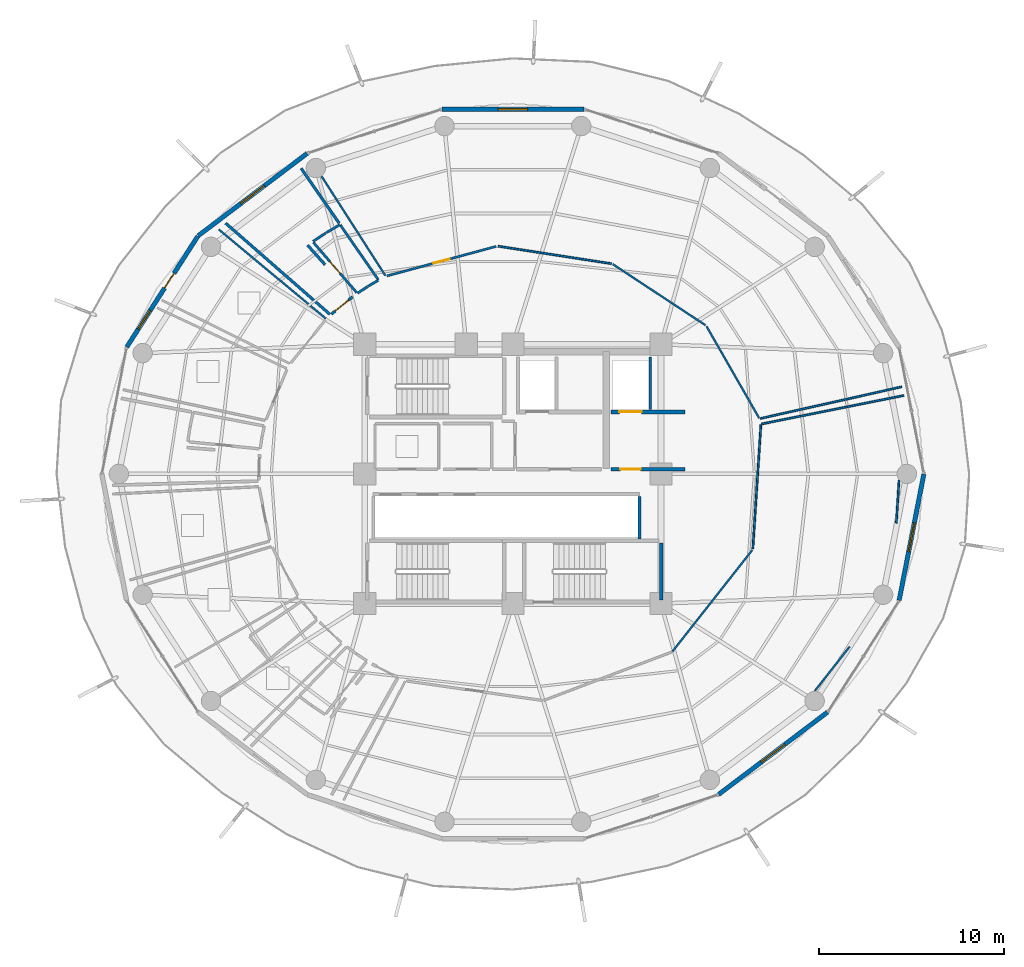
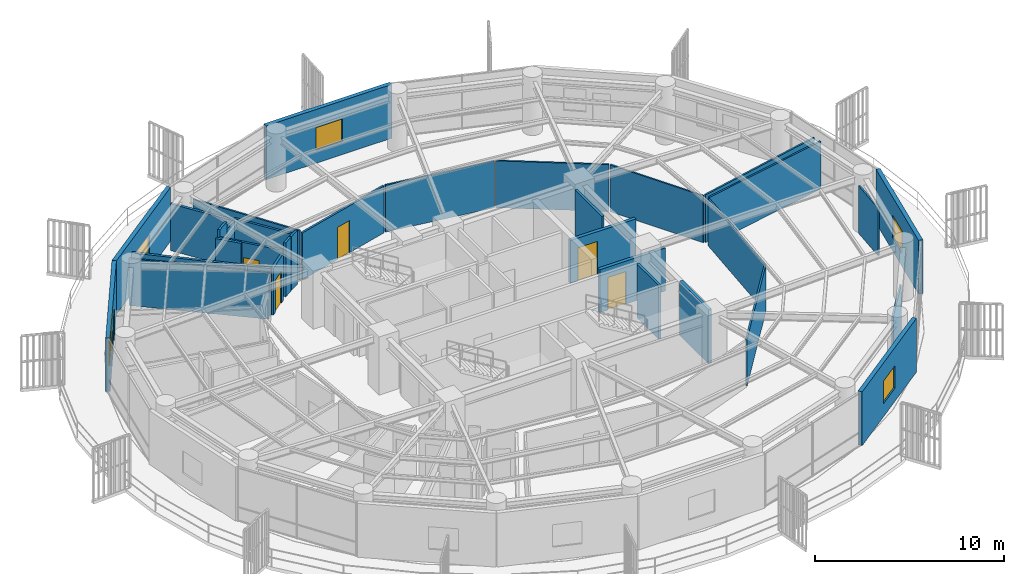
# One storey, part 26 of 31: 32 walls, 6 doors, 5 windows, 11 openings.
"""IFC4 building model written with IfcOpenShell, lengths in metres."""

from ifc_helpers import new_model, si_unit, direction, frame, frame_2d, origin, place, context, subcontext, project, spatial, rectangle, extrude, material, layer, layer_set, type_object, element, fill, save


model = new_model("IFC4")

# Units and contexts
model_context = context("Model", 3, precision=1e-05, world=origin(), true_north=direction((0.0, 1.0)))
body_context = subcontext(model_context, "Body", "Model", "MODEL_VIEW")
ifc_project = project(units=[si_unit("LENGTHUNIT", "METRE"), si_unit("AREAUNIT", "SQUARE_METRE"), si_unit("VOLUMEUNIT", "CUBIC_METRE"), si_unit("PLANEANGLEUNIT", "RADIAN"), si_unit("MASSUNIT", "GRAM", prefix="KILO")], contexts=[model_context])

# Site, building, storey
site_placement = place(None, origin())
site = spatial("IfcSite", under=ifc_project, at=site_placement, CompositionType="ELEMENT")
building_placement = place(site_placement, origin())
building = spatial("IfcBuilding", under=site, at=building_placement, Name="Kelanora Arch Commons", CompositionType="ELEMENT")
storey_placement = place(building_placement, frame((0.0, 0.0, 196.949951171875)))
storey = spatial("IfcBuildingStorey", under=building, at=storey_placement, Name="L50", CompositionType="ELEMENT", Elevation=196.949951171875)

# Walls
ifc_material_1 = material(Name="Autoclaved aerated concrete blockwork with fire plaster", Category="masonry")
ifc_layer_1 = layer(ifc_material_1, 0.14990234375)
ifc_layer_set_1 = layer_set([ifc_layer_1], Name="Autoclaved aerated concrete blockwork with fire plaster")
wall_type_1 = type_object("IfcWallType", Name="W-COMP-150", PredefinedType="PARTITIONING", material=ifc_layer_set_1)
wall_1_placement = place(storey_placement, frame((81.419921875, 61.47998046875, 0.0), z_axis=(0.0, 0.0, 1.0), x_axis=(0.0, 1.0, 0.0)))
element("IfcWall", 1, at=wall_1_placement, inside=storey, type_object=wall_type_1, Name="Firefighting Lift 2 East Shaft Wall L50", PredefinedType="PARTITIONING", context=body_context, shape_type="SweptSolid", body=[
    extrude(rectangle(XDim=2.840087890625, YDim=0.14990234375, at=frame_2d((1.419921875, 0.0))), origin(), (0.0, 0.0, 1.0), 3.47998046875),
])
wall_2_placement = place(storey_placement, frame((80.840087890625, 54.47998046875, 0.0), z_axis=(0.0, 0.0, 1.0), x_axis=(0.0, 1.0, 0.0)))
element("IfcWall", 2, at=wall_2_placement, inside=storey, type_object=wall_type_1, Name="South Lift Bank East Wall L50", PredefinedType="PARTITIONING", context=body_context, shape_type="SweptSolid", body=[
    extrude(rectangle(XDim=2.2900390625, YDim=0.14990234375, at=frame_2d((1.14501953125, 0.0))), origin(), (0.0, 0.0, 1.0), 3.47998046875),
])

# Wall, opening, door
wall_3_placement = place(storey_placement, frame((65.335693359375, 67.56103515625, 0.0), z_axis=(0.0, 0.0, 1.0), x_axis=(-0.773453544763, -0.633852990917, 0.0)))
wall_3 = element("IfcWall", 3, at=wall_3_placement, inside=storey, type_object=wall_type_1, Name="Co-Living Studio L50-01 Entry Partition", PredefinedType="PARTITIONING", context=body_context, shape_type="SweptSolid", body=[
    extrude(rectangle(XDim=1.468994140625, YDim=0.14990234375, at=frame_2d((0.734375, 0.0))), origin(), (0.0, 0.0, 1.0), 3.025146484375),
])
opening_1_placement = place(wall_3_placement, frame((0.259033203125, 0.0, 0.0)))
opening_1 = element("IfcOpeningElement", 4, at=opening_1_placement, cuts=wall_3, Name="Opening D-CLU1", PredefinedType="OPENING", context=body_context, shape_type="SweptSolid", body=[
    extrude(rectangle(XDim=0.949951171875, YDim=2.080078125, at=frame_2d((0.47509765625, 1.0400390625))), frame((0.0, 0.0849609375, 0.0), z_axis=(0.0, -1.0, 0.0), x_axis=(1.0, 0.0, 0.0)), (0.0, 0.0, 1.0), 0.169921875),
])
ifc_material_2 = material(Name="Solid-core acoustic timber cluster entry fire door", Category="wood")
door_type_1 = type_object("IfcDoorType", Name="D-CLU-95", OperationType="NOTDEFINED", PredefinedType="DOOR", material=ifc_material_2)
door_1_placement = place(opening_1_placement, origin())
door_1 = element("IfcDoor", 5, at=door_1_placement, inside=storey, type_object=door_type_1, Name="Co-Living Studio L50-01 Door", OperationType="SINGLE_SWING_RIGHT", OverallHeight=2.080078125, OverallWidth=0.949951171875, PredefinedType="DOOR", context=body_context, shape_type="SweptSolid", body=[
    extrude(rectangle(XDim=0.949951171875, YDim=2.080078125, at=frame_2d((0.47509765625, 1.0400390625))), frame((0.0, 0.02490234375, 0.0), z_axis=(0.0, -1.0, 0.0), x_axis=(1.0, 0.0, 0.0)), (0.0, 0.0, 1.0), 0.050048828125),
])
fill(opening_1, door_1)

# Walls
wall_4_placement = place(storey_placement, frame((64.122802734375, 66.618408203125, 0.0), z_axis=(0.0, 0.0, 1.0), x_axis=(-0.752988337425, 0.658033862124, 0.0)))
element("IfcWall", 6, at=wall_4_placement, inside=storey, type_object=wall_type_1, Name="Co-Living Studio L50-01 Enclosure Partition 2", PredefinedType="PARTITIONING", context=body_context, shape_type="SweptSolid", body=[
    extrude(rectangle(XDim=7.4921875, YDim=0.14990234375, at=frame_2d((3.74609375, 0.0))), origin(), (0.0, 0.0, 1.0), 3.074951171875),
])
wall_5_placement = place(storey_placement, frame((62.56591796875, 74.505126953125, 0.0), z_axis=(0.0, 0.0, 1.0), x_axis=(0.569125600833, -0.822250600776, 0.0)))
element("IfcWall", 7, at=wall_5_placement, inside=storey, type_object=wall_type_1, Name="Co-Living Studio L50-01 Enclosure Partition 5", PredefinedType="PARTITIONING", context=body_context, shape_type="SweptSolid", body=[
    extrude(rectangle(XDim=3.611083984375, YDim=0.14990234375, at=frame_2d((1.8056640625, 0.0))), origin(), (0.0, 0.0, 1.0), 3.025146484375),
])
wall_6_placement = place(storey_placement, frame((62.913818359375, 70.352294921875, 0.0), z_axis=(0.0, 0.0, 1.0), x_axis=(0.667393587085, -0.744705176508, 0.0)))
element("IfcWall", 8, at=wall_6_placement, inside=storey, type_object=wall_type_1, Name="Co-Living Studio L50-01 Enclosure Partition 7", PredefinedType="PARTITIONING", context=body_context, shape_type="SweptSolid", body=[
    extrude(rectangle(XDim=1.41796875, YDim=0.14990234375, at=frame_2d((0.708984375, 0.0))), origin(), (0.0, 0.0, 1.0), 3.175048828125),
])

# Wall, opening, window
ifc_material_3 = material(Name="Precast concrete C40/50 upper-zone terracotta rainscreen", Category="masonry")
ifc_layer_2 = layer(ifc_material_3, 0.239990234375)
ifc_layer_set_2 = layer_set([ifc_layer_2], Name="Precast concrete C40/50 upper-zone terracotta rainscreen")
wall_type_2 = type_object("IfcWallType", Name="W-EXT-TC2", PredefinedType="SOLIDWALL", material=ifc_layer_set_2)
wall_7_placement = place(storey_placement, frame((77.840087890625, 77.6962890625, 0.0), z_axis=(0.0, 0.0, 1.0), x_axis=(-1.0, 0.0, 0.0)))
wall_7 = element("IfcWall", 9, at=wall_7_placement, inside=storey, type_object=wall_type_2, Name="Terracotta Exterior Wall L50-B04", PredefinedType="SOLIDWALL", context=body_context, shape_type="SweptSolid", body=[
    extrude(rectangle(XDim=7.68017578125, YDim=0.239990234375, at=frame_2d((3.840087890625, 0.0))), origin(), (0.0, 0.0, 1.0), 3.47509765625),
])
opening_2_placement = place(wall_7_placement, frame((3.0400390625, 0.0, 0.85009765625)))
opening_2 = element("IfcOpeningElement", 10, at=opening_2_placement, cuts=wall_7, Name="Opening WN-01", PredefinedType="OPENING", context=body_context, shape_type="SweptSolid", body=[
    extrude(rectangle(XDim=1.60009765625, YDim=1.449951171875, at=frame_2d((0.800048828125, 0.72509765625))), frame((0.0, 0.1298828125, 0.0), z_axis=(0.0, -1.0, 0.0), x_axis=(1.0, 0.0, 0.0)), (0.0, 0.0, 1.0), 0.260009765625),
])
ifc_material_4 = material(Name="Terracotta-anodised aluminium frame with operable low-E glazing", Category="masonry")
window_type_1 = type_object("IfcWindowType", Name="WIN-CL-18", PartitioningType="DOUBLE_PANEL_VERTICAL", PredefinedType="WINDOW", material=ifc_material_4)
window_1_placement = place(opening_2_placement, origin())
window_1 = element("IfcWindow", 11, at=window_1_placement, inside=storey, type_object=window_type_1, Name="Co-Living Operable Window L50-B04", OverallHeight=1.449951171875, OverallWidth=1.60009765625, PartitioningType="SINGLE_PANEL", PredefinedType="WINDOW", context=body_context, shape_type="SweptSolid", body=[
    extrude(rectangle(XDim=1.60009765625, YDim=1.449951171875, at=frame_2d((0.800048828125, 0.72509765625))), frame((0.0, 0.030029296875, 0.0), z_axis=(0.0, -1.0, 0.0), x_axis=(1.0, 0.0, 0.0)), (0.0, 0.0, 1.0), 0.06005859375),
])
fill(opening_2, window_1)

wall_8_placement = place(storey_placement, frame((62.887939453125, 75.3115234375, 0.0), z_axis=(0.0, 0.0, 1.0), x_axis=(-0.797701674595, -0.603052268338, 0.0)))
wall_8 = element("IfcWall", 12, at=wall_8_placement, inside=storey, type_object=wall_type_2, Name="Terracotta Exterior Wall L50-B06", PredefinedType="SOLIDWALL", context=body_context, shape_type="SweptSolid", body=[
    extrude(rectangle(XDim=7.373779296875, YDim=0.239990234375, at=frame_2d((3.68701171875, 0.0))), origin(), (0.0, 0.0, 1.0), 3.47509765625),
])
opening_3_placement = place(wall_8_placement, frame((2.886962890625, 0.0, 0.85009765625)))
opening_3 = element("IfcOpeningElement", 13, at=opening_3_placement, cuts=wall_8, Name="Opening WN-01", PredefinedType="OPENING", context=body_context, shape_type="SweptSolid", body=[
    extrude(rectangle(XDim=1.60009765625, YDim=1.449951171875, at=frame_2d((0.800048828125, 0.72509765625))), frame((0.0, 0.1298828125, 0.0), z_axis=(0.0, -1.0, 0.0), x_axis=(1.0, 0.0, 0.0)), (0.0, 0.0, 1.0), 0.260009765625),
])
window_2_placement = place(opening_3_placement, origin())
window_2 = element("IfcWindow", 14, at=window_2_placement, inside=storey, type_object=window_type_1, Name="Co-Living Operable Window L50-B06", OverallHeight=1.449951171875, OverallWidth=1.60009765625, PartitioningType="SINGLE_PANEL", PredefinedType="WINDOW", context=body_context, shape_type="SweptSolid", body=[
    extrude(rectangle(XDim=1.60009765625, YDim=1.449951171875, at=frame_2d((0.800048828125, 0.72509765625))), frame((0.0, 0.030029296875, 0.0), z_axis=(0.0, -1.0, 0.0), x_axis=(1.0, 0.0, 0.0)), (0.0, 0.0, 1.0), 0.06005859375),
])
fill(opening_3, window_2)

# Wall, openings, door, window
wall_9_placement = place(storey_placement, frame((56.985595703125, 70.84326171875, 0.0), z_axis=(0.0, 0.0, 1.0), x_axis=(-0.539539512973, -0.841960280501, 0.0)))
wall_9 = element("IfcWall", 15, at=wall_9_placement, inside=storey, type_object=wall_type_2, Name="Terracotta Exterior Wall L50-B07", PredefinedType="SOLIDWALL", context=body_context, shape_type="SweptSolid", body=[
    extrude(rectangle(XDim=7.11474609375, YDim=0.239990234375, at=frame_2d((3.557373046875, 0.0))), origin(), (0.0, 0.0, 1.0), 3.47509765625),
])
opening_4_placement = place(wall_9_placement, frame((2.382080078125, 0.0, 0.0)))
opening_4 = element("IfcOpeningElement", 16, at=opening_4_placement, cuts=wall_9, Name="Opening DB-01", PredefinedType="OPENING", context=body_context, shape_type="SweptSolid", body=[
    extrude(rectangle(XDim=0.949951171875, YDim=2.10009765625, at=frame_2d((0.47509765625, 1.050048828125))), frame((0.0, 0.1298828125, 0.0), z_axis=(0.0, -1.0, 0.0), x_axis=(1.0, 0.0, 0.0)), (0.0, 0.0, 1.0), 0.260009765625),
])
opening_5_placement = place(wall_9_placement, frame((4.761962890625, 0.0, 0.85009765625)))
opening_5 = element("IfcOpeningElement", 17, at=opening_5_placement, cuts=wall_9, Name="Opening WN-02", PredefinedType="OPENING", context=body_context, shape_type="SweptSolid", body=[
    extrude(rectangle(XDim=1.199951171875, YDim=1.449951171875, at=frame_2d((0.60009765625, 0.72509765625))), frame((0.0, 0.1298828125, 0.0), z_axis=(0.0, -1.0, 0.0), x_axis=(1.0, 0.0, 0.0)), (0.0, 0.0, 1.0), 0.260009765625),
])
ifc_material_5 = material(Name="Terracotta-aluminium thermally broken glazed balcony door", Category="masonry")
door_type_2 = type_object("IfcDoorType", Name="D-BAL-10", OperationType="NOTDEFINED", PredefinedType="DOOR", material=ifc_material_5)
door_2_placement = place(opening_4_placement, frame((0.949951171875, 0.0, 0.0), z_axis=(0.0, 0.0, 1.0), x_axis=(-1.0, 0.0, 0.0)))
door_2 = element("IfcDoor", 18, at=door_2_placement, inside=storey, type_object=door_type_2, Name="Wave Balcony Door L50-B07", OperationType="SINGLE_SWING_RIGHT", OverallHeight=2.10009765625, OverallWidth=0.949951171875, PredefinedType="DOOR", context=body_context, shape_type="SweptSolid", body=[
    extrude(rectangle(XDim=0.949951171875, YDim=2.10009765625, at=frame_2d((0.47509765625, 1.050048828125))), frame((0.0, 0.02490234375, 0.0), z_axis=(0.0, -1.0, 0.0), x_axis=(1.0, 0.0, 0.0)), (0.0, 0.0, 1.0), 0.050048828125),
])
fill(opening_4, door_2)
ifc_material_6 = material(Name="Terracotta-anodised aluminium frame with operable awning sash", Category="masonry")
window_type_2 = type_object("IfcWindowType", Name="WIN-CL-12", PartitioningType="SINGLE_PANEL", PredefinedType="WINDOW", material=ifc_material_6)
window_3_placement = place(opening_5_placement, origin())
window_3 = element("IfcWindow", 19, at=window_3_placement, inside=storey, type_object=window_type_2, Name="Co-Living Operable Window L50-B07", OverallHeight=1.449951171875, OverallWidth=1.199951171875, PartitioningType="SINGLE_PANEL", PredefinedType="WINDOW", context=body_context, shape_type="SweptSolid", body=[
    extrude(rectangle(XDim=1.199951171875, YDim=1.449951171875, at=frame_2d((0.60009765625, 0.72509765625))), frame((0.0, 0.030029296875, 0.0), z_axis=(0.0, -1.0, 0.0), x_axis=(1.0, 0.0, 0.0)), (0.0, 0.0, 1.0), 0.06005859375),
])
fill(opening_5, window_3)

# Wall, opening, window
wall_10_placement = place(storey_placement, frame((85.112060546875, 40.6884765625, 0.0), z_axis=(0.0, 0.0, 1.0), x_axis=(0.797701674595, 0.603052268338, 0.0)))
wall_10 = element("IfcWall", 20, at=wall_10_placement, inside=storey, type_object=wall_type_2, Name="Terracotta Exterior Wall L50-B15", PredefinedType="SOLIDWALL", context=body_context, shape_type="SweptSolid", body=[
    extrude(rectangle(XDim=7.373779296875, YDim=0.239990234375, at=frame_2d((3.68701171875, 0.0))), origin(), (0.0, 0.0, 1.0), 3.47509765625),
])
opening_6_placement = place(wall_10_placement, frame((2.886962890625, 0.0, 0.85009765625)))
opening_6 = element("IfcOpeningElement", 21, at=opening_6_placement, cuts=wall_10, Name="Opening WN-01", PredefinedType="OPENING", context=body_context, shape_type="SweptSolid", body=[
    extrude(rectangle(XDim=1.60009765625, YDim=1.449951171875, at=frame_2d((0.800048828125, 0.72509765625))), frame((0.0, 0.1298828125, 0.0), z_axis=(0.0, -1.0, 0.0), x_axis=(1.0, 0.0, 0.0)), (0.0, 0.0, 1.0), 0.260009765625),
])
window_4_placement = place(opening_6_placement, origin())
window_4 = element("IfcWindow", 22, at=window_4_placement, inside=storey, type_object=window_type_1, Name="Co-Living Operable Window L50-B15", OverallHeight=1.449951171875, OverallWidth=1.60009765625, PartitioningType="SINGLE_PANEL", PredefinedType="WINDOW", context=body_context, shape_type="SweptSolid", body=[
    extrude(rectangle(XDim=1.60009765625, YDim=1.449951171875, at=frame_2d((0.800048828125, 0.72509765625))), frame((0.0, 0.030029296875, 0.0), z_axis=(0.0, -1.0, 0.0), x_axis=(1.0, 0.0, 0.0)), (0.0, 0.0, 1.0), 0.06005859375),
])
fill(opening_6, window_4)

wall_11_placement = place(storey_placement, frame((94.864013671875, 51.17431640625, 0.0), z_axis=(0.0, 0.0, 1.0), x_axis=(0.192069055673, 0.981381413036, 0.0)))
wall_11 = element("IfcWall", 23, at=wall_11_placement, inside=storey, type_object=wall_type_2, Name="Terracotta Exterior Wall L50-B17", PredefinedType="SOLIDWALL", context=body_context, shape_type="SweptSolid", body=[
    extrude(rectangle(XDim=6.940185546875, YDim=0.239990234375, at=frame_2d((3.47021484375, 0.0))), origin(), (0.0, 0.0, 1.0), 3.47509765625),
])
opening_7_placement = place(wall_11_placement, frame((2.669921875, 0.0, 0.85009765625)))
opening_7 = element("IfcOpeningElement", 24, at=opening_7_placement, cuts=wall_11, Name="Opening WN-01", PredefinedType="OPENING", context=body_context, shape_type="SweptSolid", body=[
    extrude(rectangle(XDim=1.60009765625, YDim=1.449951171875, at=frame_2d((0.800048828125, 0.72509765625))), frame((0.0, 0.1298828125, 0.0), z_axis=(0.0, -1.0, 0.0), x_axis=(1.0, 0.0, 0.0)), (0.0, 0.0, 1.0), 0.260009765625),
])
window_5_placement = place(opening_7_placement, origin())
window_5 = element("IfcWindow", 25, at=window_5_placement, inside=storey, type_object=window_type_1, Name="Co-Living Operable Window L50-B17", OverallHeight=1.449951171875, OverallWidth=1.60009765625, PartitioningType="SINGLE_PANEL", PredefinedType="WINDOW", context=body_context, shape_type="SweptSolid", body=[
    extrude(rectangle(XDim=1.60009765625, YDim=1.449951171875, at=frame_2d((0.800048828125, 0.72509765625))), frame((0.0, 0.030029296875, 0.0), z_axis=(0.0, -1.0, 0.0), x_axis=(1.0, 0.0, 0.0)), (0.0, 0.0, 1.0), 0.06005859375),
])
fill(opening_7, window_5)

# Wall, opening, door
ifc_material_7 = material(Name="Concrete C40/50", Category="concrete")
ifc_layer_3 = layer(ifc_material_7, 0.199951171875)
ifc_layer_set_3 = layer_set([ifc_layer_3], Name="Concrete C40/50")
wall_type_3 = type_object("IfcWallType", Name="W-FFL-200", PredefinedType="SOLIDWALL", material=ifc_layer_set_3)
wall_12_placement = place(storey_placement, frame((79.300048828125, 61.35009765625, 0.0), z_axis=(0.0, 0.0, 1.0), x_axis=(1.0, 0.0, 0.0)))
wall_12 = element("IfcWall", 26, at=wall_12_placement, inside=storey, type_object=wall_type_3, Name="Firefighting Lift 2 Shaft Front L50", PredefinedType="SOLIDWALL", context=body_context, shape_type="SweptSolid", body=[
    extrude(rectangle(XDim=4.0, YDim=0.199951171875, at=frame_2d((2.0, 0.0))), origin(), (0.0, 0.0, 1.0), 2.775146484375),
])
opening_8_placement = place(wall_12_placement, frame((0.449951171875, 0.0, 0.0)))
opening_8 = element("IfcOpeningElement", 27, at=opening_8_placement, cuts=wall_12, Name="Opening LD-FF", PredefinedType="OPENING", context=body_context, shape_type="SweptSolid", body=[
    extrude(rectangle(XDim=1.199951171875, YDim=2.14990234375, at=frame_2d((0.60009765625, 1.074951171875))), frame((0.0, 0.10986328125, 0.0), z_axis=(0.0, -1.0, 0.0), x_axis=(1.0, 0.0, 0.0)), (0.0, 0.0, 1.0), 0.219970703125),
])
ifc_material_8 = material(Name="Fire-rated firefighters lift sliding landing door")
door_type_3 = type_object("IfcDoorType", Name="D-LIFT-FF", OperationType="NOTDEFINED", PredefinedType="DOOR", material=ifc_material_8)
door_3_placement = place(opening_8_placement, origin())
door_3 = element("IfcDoor", 28, at=door_3_placement, inside=storey, type_object=door_type_3, Name="Firefighting Lift LF-FF2 Landing Door L50", OperationType="DOUBLE_DOOR_SLIDING", OverallHeight=2.14990234375, OverallWidth=1.199951171875, PredefinedType="DOOR", context=body_context, shape_type="SweptSolid", body=[
    extrude(rectangle(XDim=1.199951171875, YDim=2.14990234375, at=frame_2d((0.60009765625, 1.074951171875))), frame((0.0, 0.02490234375, 0.0), z_axis=(0.0, -1.0, 0.0), x_axis=(1.0, 0.0, 0.0)), (0.0, 0.0, 1.0), 0.050048828125),
])
fill(opening_8, door_3)

wall_13_placement = place(storey_placement, frame((79.300048828125, 58.25, 0.0), z_axis=(0.0, 0.0, 1.0), x_axis=(1.0, 0.0, 0.0)))
wall_13 = element("IfcWall", 29, at=wall_13_placement, inside=storey, type_object=wall_type_3, Name="Firefighting Lobby 2 Enclosure Wall L50", PredefinedType="SOLIDWALL", context=body_context, shape_type="SweptSolid", body=[
    extrude(rectangle(XDim=4.0, YDim=0.199951171875, at=frame_2d((2.0, 0.0))), origin(), (0.0, 0.0, 1.0), 2.775146484375),
])
opening_9_placement = place(wall_13_placement, frame((0.5, 0.0, 0.0)))
opening_9 = element("IfcOpeningElement", 30, at=opening_9_placement, cuts=wall_13, Name="Opening D-FFL1", PredefinedType="OPENING", context=body_context, shape_type="SweptSolid", body=[
    extrude(rectangle(XDim=1.10009765625, YDim=2.10009765625, at=frame_2d((0.550048828125, 1.050048828125))), frame((0.0, 0.10986328125, 0.0), z_axis=(0.0, -1.0, 0.0), x_axis=(1.0, 0.0, 0.0)), (0.0, 0.0, 1.0), 0.219970703125),
])
ifc_material_9 = material(Name="Smoke-sealed firefighting lobby fire door")
door_type_4 = type_object("IfcDoorType", Name="D-FFL-110", OperationType="NOTDEFINED", PredefinedType="DOOR", material=ifc_material_9)
door_4_placement = place(opening_9_placement, frame((1.10009765625, 0.0, 0.0), z_axis=(0.0, 0.0, 1.0), x_axis=(-1.0, 0.0, 0.0)))
door_4 = element("IfcDoor", 31, at=door_4_placement, inside=storey, type_object=door_type_4, Name="Firefighting Lobby 2 Door L50", OperationType="SINGLE_SWING_RIGHT", OverallHeight=2.10009765625, OverallWidth=1.10009765625, PredefinedType="DOOR", context=body_context, shape_type="SweptSolid", body=[
    extrude(rectangle(XDim=1.10009765625, YDim=2.10009765625, at=frame_2d((0.550048828125, 1.050048828125))), frame((0.0, 0.02490234375, 0.0), z_axis=(0.0, -1.0, 0.0), x_axis=(1.0, 0.0, 0.0)), (0.0, 0.0, 1.0), 0.050048828125),
])
fill(opening_9, door_4)

# Walls
ifc_material_10 = material(Name="Lightweight fire-rated acoustic stud partition")
ifc_layer_4 = layer(ifc_material_10, 0.10009765625)
ifc_layer_set_4 = layer_set([ifc_layer_4], Name="Lightweight fire-rated acoustic stud partition")
wall_type_4 = type_object("IfcWallType", Name="W-PART-100", PredefinedType="PARTITIONING", material=ifc_layer_set_4)
wall_14_placement = place(storey_placement, frame((82.627685546875, 48.42236328125, 0.0), z_axis=(0.0, 0.0, 1.0), x_axis=(0.618431543907, 0.785838676511, 0.0)))
element("IfcWall", 32, at=wall_14_placement, inside=storey, type_object=wall_type_4, Name="South-East Social Sky Lounge L50 Enclosure Partition 3", PredefinedType="PARTITIONING", context=body_context, shape_type="SweptSolid", body=[
    extrude(rectangle(XDim=6.962158203125, YDim=0.10009765625, at=frame_2d((3.48095703125, 0.0))), origin(), (0.0, 0.0, 1.0), 3.025146484375),
])
wall_15_placement = place(storey_placement, frame((86.960693359375, 53.96484375, 0.0), z_axis=(0.0, 0.0, 1.0), x_axis=(0.065048371975, 0.997882111927, 0.0)))
element("IfcWall", 33, at=wall_15_placement, inside=storey, type_object=wall_type_4, Name="South-East Social Sky Lounge L50 Enclosure Partition 4", PredefinedType="PARTITIONING", context=body_context, shape_type="SweptSolid", body=[
    extrude(rectangle(XDim=6.699462890625, YDim=0.10009765625, at=frame_2d((3.349609375, 0.0))), origin(), (0.0, 0.0, 1.0), 3.025146484375),
])
wall_16_placement = place(storey_placement, frame((87.438232421875, 60.697998046875, 0.0), z_axis=(0.0, 0.0, 1.0), x_axis=(0.980406493711, 0.196985042808, 0.0)))
element("IfcWall", 34, at=wall_16_placement, inside=storey, type_object=wall_type_4, Name="South-East Social Sky Lounge L50 Enclosure Partition 5", PredefinedType="PARTITIONING", context=body_context, shape_type="SweptSolid", body=[
    extrude(rectangle(XDim=7.834228515625, YDim=0.10009765625, at=frame_2d((3.9169921875, 0.0))), origin(), (0.0, 0.0, 1.0), 3.074951171875),
])
wall_17_placement = place(storey_placement, frame((94.8583984375, 57.64697265625, 0.0), z_axis=(0.0, 0.0, 1.0), x_axis=(-0.065005679068, -0.997884894008, 0.0)))
element("IfcWall", 35, at=wall_17_placement, inside=storey, type_object=wall_type_4, Name="South-East Social Sky Lounge L50 Enclosure Partition 6", PredefinedType="PARTITIONING", context=body_context, shape_type="SweptSolid", body=[
    extrude(rectangle(XDim=2.30224609375, YDim=0.10009765625, at=frame_2d((1.151123046875, 0.0))), origin(), (0.0, 0.0, 1.0), 3.074951171875),
])
wall_18_placement = place(storey_placement, frame((92.189697265625, 48.6728515625, 0.0), z_axis=(0.0, 0.0, 1.0), x_axis=(-0.618194217541, -0.786025387249, 0.0)))
element("IfcWall", 36, at=wall_18_placement, inside=storey, type_object=wall_type_4, Name="South-East Social Sky Lounge L50 Enclosure Partition 7", PredefinedType="PARTITIONING", context=body_context, shape_type="SweptSolid", body=[
    extrude(rectangle(XDim=3.037353515625, YDim=0.10009765625, at=frame_2d((1.5185546875, 0.0))), origin(), (0.0, 0.0, 1.0), 3.074951171875),
])
wall_19_placement = place(storey_placement, frame((87.302001953125, 61.017578125, 0.0), z_axis=(0.0, 0.0, 1.0), x_axis=(-0.497477595841, 0.867476824841, 0.0)))
element("IfcWall", 37, at=wall_19_placement, inside=storey, type_object=wall_type_4, Name="North-East Quiet Study Commons L50 Enclosure Partition 1", PredefinedType="PARTITIONING", context=body_context, shape_type="SweptSolid", body=[
    extrude(rectangle(XDim=5.712890625, YDim=0.10009765625, at=frame_2d((2.8564453125, 0.0))), origin(), (0.0, 0.0, 1.0), 3.025146484375),
])
wall_20_placement = place(storey_placement, frame((84.406494140625, 66.030029296875, 0.0), z_axis=(0.0, 0.0, 1.0), x_axis=(-0.835181355892, 0.549974638297, 0.0)))
element("IfcWall", 38, at=wall_20_placement, inside=storey, type_object=wall_type_4, Name="North-East Quiet Study Commons L50 Enclosure Partition 2", PredefinedType="PARTITIONING", context=body_context, shape_type="SweptSolid", body=[
    extrude(rectangle(XDim=5.996337890625, YDim=0.10009765625, at=frame_2d((2.998046875, 0.0))), origin(), (0.0, 0.0, 1.0), 3.025146484375),
])
wall_21_placement = place(storey_placement, frame((79.325439453125, 69.356201171875, 0.0), z_axis=(0.0, 0.0, 1.0), x_axis=(-0.988312865281, 0.152439103643, 0.0)))
element("IfcWall", 39, at=wall_21_placement, inside=storey, type_object=wall_type_4, Name="North-East Quiet Study Commons L50 Enclosure Partition 3", PredefinedType="PARTITIONING", context=body_context, shape_type="SweptSolid", body=[
    extrude(rectangle(XDim=6.196533203125, YDim=0.10009765625, at=frame_2d((3.09814453125, 0.0))), origin(), (0.0, 0.0, 1.0), 3.025146484375),
])
wall_22_placement = place(storey_placement, frame((67.11328125, 68.711669921875, 0.0), z_axis=(0.0, 0.0, 1.0), x_axis=(-0.540224697902, 0.841520811256, 0.0)))
element("IfcWall", 40, at=wall_22_placement, inside=storey, type_object=wall_type_4, Name="North-East Quiet Study Commons L50 Enclosure Partition 5", PredefinedType="PARTITIONING", context=body_context, shape_type="SweptSolid", body=[
    extrude(rectangle(XDim=6.368896484375, YDim=0.10009765625, at=frame_2d((3.1845703125, 0.0))), origin(), (0.0, 0.0, 1.0), 3.175048828125),
])
wall_23_placement = place(storey_placement, frame((94.9970703125, 62.7041015625, 0.0), z_axis=(0.0, 0.0, 1.0), x_axis=(-0.975765349452, -0.218819521088, 0.0)))
element("IfcWall", 41, at=wall_23_placement, inside=storey, type_object=wall_type_4, Name="North-East Quiet Study Commons L50 Enclosure Partition 10", PredefinedType="PARTITIONING", context=body_context, shape_type="SweptSolid", body=[
    extrude(rectangle(XDim=7.82568359375, YDim=0.10009765625, at=frame_2d((3.912841796875, 0.0))), origin(), (0.0, 0.0, 1.0), 3.074951171875),
])
wall_24_placement = place(storey_placement, frame((58.11669921875, 71.203369140625, 0.0), z_axis=(0.0, 0.0, 1.0), x_axis=(0.768764498043, -0.63953197461, 0.0)))
element("IfcWall", 42, at=wall_24_placement, inside=storey, type_object=wall_type_4, Name="Social Sky Lounge L50-02 Enclosure Partition 4", PredefinedType="PARTITIONING", context=body_context, shape_type="SweptSolid", body=[
    extrude(rectangle(XDim=7.51123046875, YDim=0.10009765625, at=frame_2d((3.755615234375, 0.0))), origin(), (0.0, 0.0, 1.0), 3.025146484375),
])

# Wall, opening, door
ifc_material_11 = material(Name="Acoustic twin-stud fire-rated gypsum partition")
ifc_layer_5 = layer(ifc_material_11, 0.1201171875)
ifc_layer_set_5 = layer_set([ifc_layer_5], Name="Acoustic twin-stud fire-rated gypsum partition")
wall_type_5 = type_object("IfcWallType", Name="W-PART-120", PredefinedType="PARTITIONING", material=ifc_layer_set_5)
wall_25_placement = place(storey_placement, frame((73.10400390625, 70.291259765625, 0.0), z_axis=(0.0, 0.0, 1.0), x_axis=(-0.965361221657, -0.260917059083, 0.0)))
wall_25 = element("IfcWall", 43, at=wall_25_placement, inside=storey, type_object=wall_type_5, Name="North-East Quiet Study Commons L50 Entry Partition", PredefinedType="PARTITIONING", context=body_context, shape_type="SweptSolid", body=[
    extrude(rectangle(XDim=6.123291015625, YDim=0.1201171875, at=frame_2d((3.0615234375, 0.0))), origin(), (0.0, 0.0, 1.0), 3.025146484375),
])
opening_10_placement = place(wall_25_placement, frame((2.612060546875, 0.0, 0.0)))
opening_10 = element("IfcOpeningElement", 44, at=opening_10_placement, cuts=wall_25, Name="Opening D-RM1", PredefinedType="OPENING", context=body_context, shape_type="SweptSolid", body=[
    extrude(rectangle(XDim=0.89990234375, YDim=2.080078125, at=frame_2d((0.449951171875, 1.0400390625))), frame((0.0, 0.070068359375, 0.0), z_axis=(0.0, -1.0, 0.0), x_axis=(1.0, 0.0, 0.0)), (0.0, 0.0, 1.0), 0.14013671875),
])
ifc_material_12 = material(Name="Acoustic fire-rated timber study and lounge door", Category="wood")
door_type_5 = type_object("IfcDoorType", Name="D-ROOM-90", OperationType="NOTDEFINED", PredefinedType="DOOR", material=ifc_material_12)
door_5_placement = place(opening_10_placement, origin())
door_5 = element("IfcDoor", 45, at=door_5_placement, inside=storey, type_object=door_type_5, Name="North-East Quiet Study Commons L50 Door", OperationType="SINGLE_SWING_RIGHT", OverallHeight=2.080078125, OverallWidth=0.89990234375, PredefinedType="DOOR", context=body_context, shape_type="SweptSolid", body=[
    extrude(rectangle(XDim=0.89990234375, YDim=2.080078125, at=frame_2d((0.449951171875, 1.0400390625))), frame((0.0, 0.02490234375, 0.0), z_axis=(0.0, -1.0, 0.0), x_axis=(1.0, 0.0, 0.0)), (0.0, 0.0, 1.0), 0.050048828125),
])
fill(opening_10, door_5)

# Wall
ifc_layer_6 = layer(ifc_material_7, 0.199951171875)
ifc_layer_set_6 = layer_set([ifc_layer_6], Name="Concrete C40/50")
wall_type_6 = type_object("IfcWallType", Name="W-STAIR-200", PredefinedType="SHEAR", material=ifc_layer_set_6)
wall_26_placement = place(storey_placement, frame((82.02001953125, 51.199951171875, 0.0), z_axis=(0.0, 0.0, 1.0), x_axis=(0.0, 1.0, 0.0)))
element("IfcWall", 46, at=wall_26_placement, inside=storey, type_object=wall_type_6, Name="Stair ST-T2 Shaft Wall E L50", PredefinedType="SHEAR", context=body_context, shape_type="SweptSolid", body=[
    extrude(rectangle(XDim=3.070068359375, YDim=0.199951171875, at=frame_2d((1.53515625, 0.0))), origin(), (0.0, 0.0, 1.0), 3.489990234375),
])

# Wall, opening, door
ifc_material_13 = material(Name="Moisture-resistant fire-rated cement-board plumbing wall")
ifc_layer_7 = layer(ifc_material_13, 0.1298828125)
ifc_layer_set_7 = layer_set([ifc_layer_7], Name="Moisture-resistant fire-rated cement-board plumbing wall")
wall_type_7 = type_object("IfcWallType", Name="W-WET-120", PredefinedType="PLUMBINGWALL", material=ifc_layer_set_7)
wall_27_placement = place(storey_placement, frame((65.559814453125, 67.797607421875, 0.0), z_axis=(0.0, 0.0, 1.0), x_axis=(-0.652591857515, 0.757709619515, 0.0)))
wall_27 = element("IfcWall", 47, at=wall_27_placement, inside=storey, type_object=wall_type_7, Name="En-Suite Shower WC L50-01 Entry Partition", PredefinedType="PLUMBINGWALL", context=body_context, shape_type="SweptSolid", body=[
    extrude(rectangle(XDim=3.56982421875, YDim=0.1298828125, at=frame_2d((1.784912109375, 0.0))), origin(), (0.0, 0.0, 1.0), 3.025146484375),
])
opening_11_placement = place(wall_27_placement, frame((1.35498046875, 0.0, 0.0)))
opening_11 = element("IfcOpeningElement", 48, at=opening_11_placement, cuts=wall_27, Name="Opening D-BT1", PredefinedType="OPENING", context=body_context, shape_type="SweptSolid", body=[
    extrude(rectangle(XDim=0.860107421875, YDim=2.050048828125, at=frame_2d((0.43017578125, 1.02490234375))), frame((0.0, 0.074951171875, 0.0), z_axis=(0.0, -1.0, 0.0), x_axis=(1.0, 0.0, 0.0)), (0.0, 0.0, 1.0), 0.14990234375),
])
ifc_material_14 = material(Name="Moisture-sealed fire-rated accessible bathroom door")
door_type_6 = type_object("IfcDoorType", Name="D-BATH-85", OperationType="NOTDEFINED", PredefinedType="DOOR", material=ifc_material_14)
door_6_placement = place(opening_11_placement, origin())
door_6 = element("IfcDoor", 49, at=door_6_placement, inside=storey, type_object=door_type_6, Name="En-Suite Shower WC L50-01 Door", OperationType="SINGLE_SWING_LEFT", OverallHeight=2.050048828125, OverallWidth=0.860107421875, PredefinedType="DOOR", context=body_context, shape_type="SweptSolid", body=[
    extrude(rectangle(XDim=0.860107421875, YDim=2.050048828125, at=frame_2d((0.43017578125, 1.02490234375))), frame((0.0, 0.02490234375, 0.0), z_axis=(0.0, -1.0, 0.0), x_axis=(1.0, 0.0, 0.0)), (0.0, 0.0, 1.0), 0.050048828125),
])
fill(opening_11, door_6)

# Walls
wall_28_placement = place(storey_placement, frame((66.727783203125, 68.457763671875, 0.0), z_axis=(0.0, 0.0, 1.0), x_axis=(-0.861116863464, -0.508407068655, 0.0)))
element("IfcWall", 50, at=wall_28_placement, inside=storey, type_object=wall_type_7, Name="En-Suite Shower WC L50-01 Enclosure Partition 1", PredefinedType="PLUMBINGWALL", context=body_context, shape_type="SweptSolid", body=[
    extrude(rectangle(XDim=0.63818359375, YDim=0.1298828125, at=frame_2d((0.319091796875, 0.0))), origin(), (0.0, 0.0, 1.0), 3.47998046875),
])
wall_29_placement = place(storey_placement, frame((66.144287109375, 68.112060546875, 0.0), z_axis=(0.0, 0.0, 1.0), x_axis=(-0.834414447473, -0.551137487246, 0.0)))
element("IfcWall", 51, at=wall_29_placement, inside=storey, type_object=wall_type_7, Name="En-Suite Shower WC L50-01 Enclosure Partition 2", PredefinedType="PLUMBINGWALL", context=body_context, shape_type="SweptSolid", body=[
    extrude(rectangle(XDim=0.633544921875, YDim=0.1298828125, at=frame_2d((0.31689453125, 0.0))), origin(), (0.0, 0.0, 1.0), 3.47998046875),
])
wall_30_placement = place(storey_placement, frame((63.207763671875, 70.55908203125, 0.0), z_axis=(0.0, 0.0, 1.0), x_axis=(0.835081531493, 0.550126199848, 0.0)))
element("IfcWall", 52, at=wall_30_placement, inside=storey, type_object=wall_type_7, Name="En-Suite Shower WC L50-01 Enclosure Partition 4", PredefinedType="PLUMBINGWALL", context=body_context, shape_type="SweptSolid", body=[
    extrude(rectangle(XDim=0.82666015625, YDim=0.1298828125, at=frame_2d((0.413330078125, 0.0))), origin(), (0.0, 0.0, 1.0), 3.47998046875),
])
wall_31_placement = place(storey_placement, frame((63.93212890625, 71.03515625, 0.0), z_axis=(0.0, 0.0, 1.0), x_axis=(0.860534659753, 0.509391891734, 0.0)))
element("IfcWall", 53, at=wall_31_placement, inside=storey, type_object=wall_type_7, Name="En-Suite Shower WC L50-01 Enclosure Partition 5", PredefinedType="PLUMBINGWALL", context=body_context, shape_type="SweptSolid", body=[
    extrude(rectangle(XDim=0.83154296875, YDim=0.1298828125, at=frame_2d((0.415771484375, 0.0))), origin(), (0.0, 0.0, 1.0), 3.025146484375),
])
wall_32_placement = place(storey_placement, frame((64.676513671875, 71.45263671875, 0.0), z_axis=(0.0, 0.0, 1.0), x_axis=(0.569617686403, -0.821909782967, 0.0)))
element("IfcWall", 54, at=wall_32_placement, inside=storey, type_object=wall_type_7, Name="En-Suite Shower WC L50-01 Enclosure Partition 6", PredefinedType="PLUMBINGWALL", context=body_context, shape_type="SweptSolid", body=[
    extrude(rectangle(XDim=3.611328125, YDim=0.1298828125, at=frame_2d((1.8056640625, 0.0))), origin(), (0.0, 0.0, 1.0), 3.175048828125),
])

save(model, "model.ifc")
